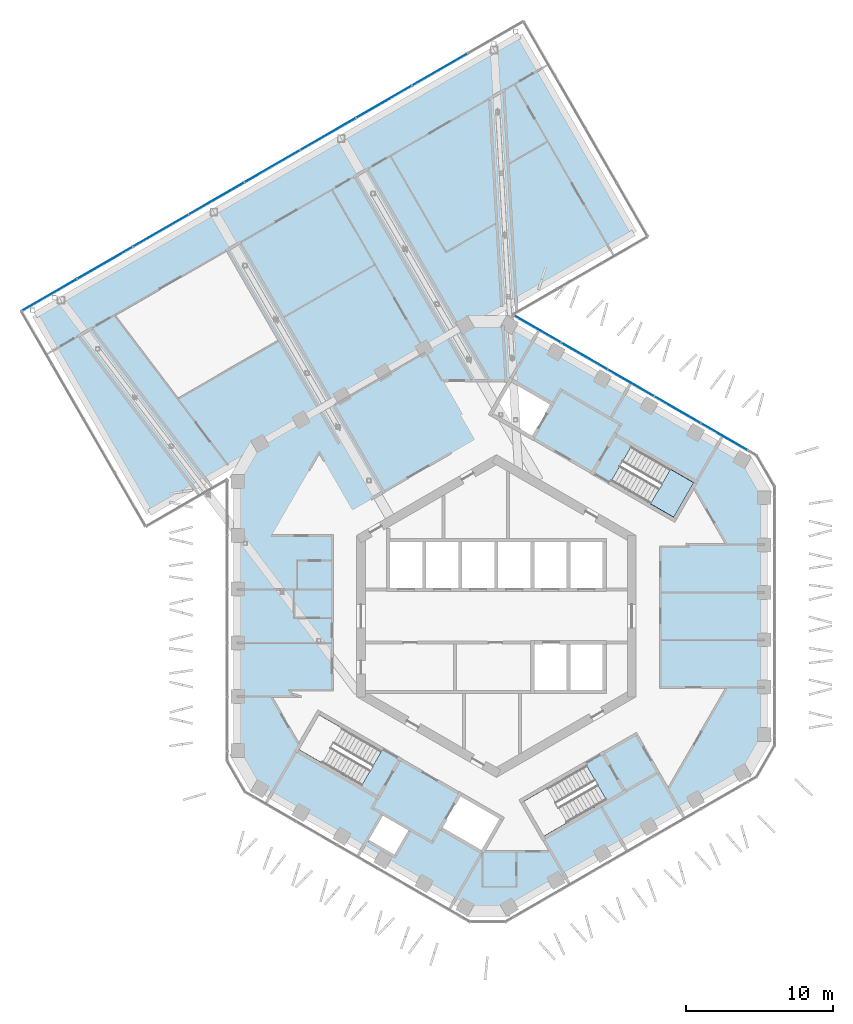
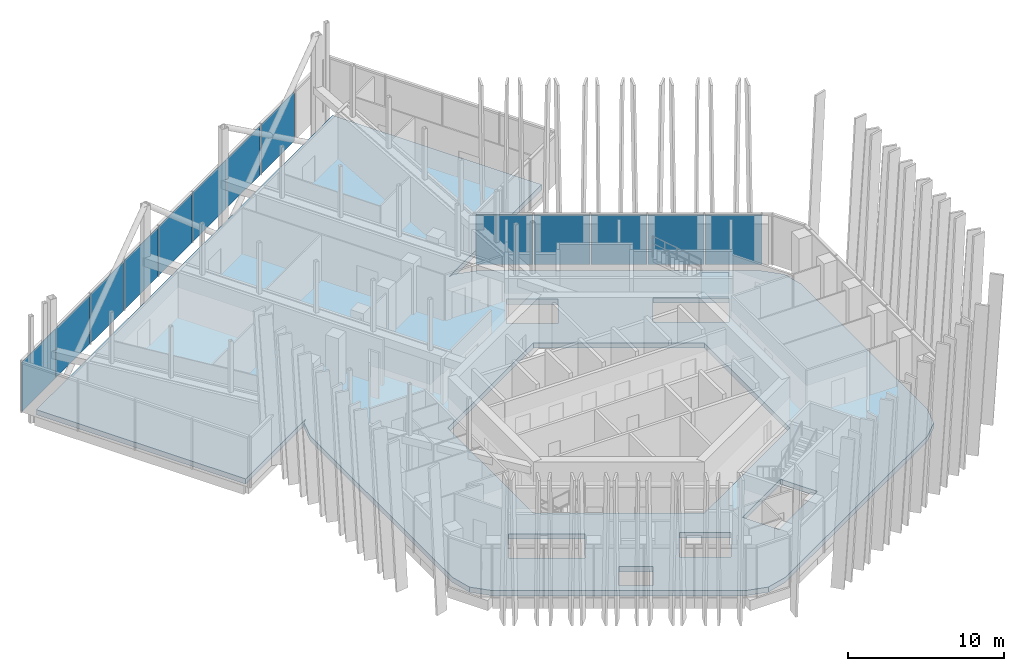
# One storey, part 15 of 29: 13 plates, 2 slabs, 3 elements without a shape of their own.
"""IFC4 building model written with IfcOpenShell, lengths in metres."""

import ifcopenshell
import ifcopenshell.guid

model = None  # the IFC model being written
_history = None  # IfcOwnerHistory: only IFC2X3 demands one
_inside = {}  # id of a spatial element -> (the spatial element, [elements in it])
_under = {}  # id of a project, library or spatial element -> (it, [spatial elements below it])
_declared = {}  # id of a project -> (the project, [libraries it declares])
_typed = {}  # id of a type object -> (the type object, [elements of that type])
_made_of = {}  # id of a material, layer set ... -> (it, [elements and type objects made of it])


def new_model(schema):
    """Start an empty IFC model of exactly this schema.

    Asked for "IFC4X3", IfcOpenShell would pick the latest addendum, in which some entities
    have other attributes; the version numbers below select the first issue.
    IFC2X3 requires an IfcOwnerHistory on every rooted entity: one is made here for all.
    """
    global model, _history
    if schema == "IFC4X3":
        model = ifcopenshell.file(schema_version=(4, 3, 0, 0))
    else:
        model = ifcopenshell.file(schema=schema)
    _inside.clear()
    _under.clear()
    _declared.clear()
    _typed.clear()
    _made_of.clear()
    _history = None
    if model.schema == "IFC2X3":
        org = make("IfcOrganization", Name="unknown")
        user = make(
            "IfcPersonAndOrganization",
            ThePerson=make("IfcPerson", FamilyName="unknown"),
            TheOrganization=org,
        )
        app = make(
            "IfcApplication",
            ApplicationDeveloper=org,
            Version="unknown",
            ApplicationFullName="unknown",
            ApplicationIdentifier="unknown",
        )
        _history = make(
            "IfcOwnerHistory",
            OwningUser=user,
            OwningApplication=app,
            ChangeAction="ADDED",
            CreationDate=0,
        )
    return model


def make(cls, **values):
    """One entity of the class cls with the attributes given. An attribute that is None is left unset."""
    return model.create_entity(
        cls, **{name: value for name, value in values.items() if value is not None}
    )


def rooted(cls, **values):
    """An entity with a GlobalId (a new one), such as an element, a storey or a relation."""
    return make(cls, GlobalId=ifcopenshell.guid.new(), OwnerHistory=_history, **values)


def si_unit(unit_type, name, prefix=None):
    """IfcSIUnit, for example si_unit("LENGTHUNIT", "METRE", prefix="MILLI")."""
    return make("IfcSIUnit", UnitType=unit_type, Prefix=prefix, Name=name)


def assignment(units):
    """IfcUnitAssignment: the units of a project."""
    return None if units is None else make("IfcUnitAssignment", Units=units)


def point(xyz):
    """IfcCartesianPoint."""
    return None if xyz is None else make("IfcCartesianPoint", Coordinates=xyz)


def direction(xyz):
    """IfcDirection."""
    return None if xyz is None else make("IfcDirection", DirectionRatios=xyz)


def frame(location, z_axis=None, x_axis=None):
    """IfcAxis2Placement3D, a coordinate frame: its origin and axes. An axis left out is left unset."""
    return make(
        "IfcAxis2Placement3D",
        Location=point(location),
        Axis=direction(z_axis),
        RefDirection=direction(x_axis),
    )


def frame_2d(location, x_axis=None):
    """IfcAxis2Placement2D, a coordinate frame in the plane: its origin and x axis."""
    return make(
        "IfcAxis2Placement2D", Location=point(location), RefDirection=direction(x_axis)
    )


def origin():
    """The frame at (0, 0, 0) with its axes left unset."""
    return frame((0.0, 0.0, 0.0))


def origin_2d():
    """The frame at (0, 0) in the plane with its x axis left unset."""
    return frame_2d((0.0, 0.0))


def place(relative_to, where):
    """IfcLocalPlacement: puts the frame where relative to a parent placement (None: the world)."""
    return make(
        "IfcLocalPlacement", PlacementRelTo=relative_to, RelativePlacement=where
    )


def context(
    kind, dimensions, precision=None, world=None, true_north=None, identifier=None
):
    """IfcGeometricRepresentationContext, for example the 3D "Model" context."""
    return make(
        "IfcGeometricRepresentationContext",
        ContextIdentifier=identifier,
        ContextType=kind,
        CoordinateSpaceDimension=dimensions,
        Precision=precision,
        WorldCoordinateSystem=world,
        TrueNorth=true_north,
    )


def subcontext(parent, identifier, kind, view, scale=None):
    """IfcGeometricRepresentationSubContext, for example "Body" below "Model"."""
    return make(
        "IfcGeometricRepresentationSubContext",
        ContextIdentifier=identifier,
        ContextType=kind,
        ParentContext=parent,
        TargetScale=scale,
        TargetView=view,
    )


def project(units=None, contexts=None):
    """IfcProject with its units and contexts."""
    return rooted(
        "IfcProject",
        Name="project",
        RepresentationContexts=contexts,
        UnitsInContext=assignment(units),
    )


def spatial(cls, under=None, at=None, **own):
    """A site, building, storey or space (cls), placed at a placement, below another one or the project."""
    s = rooted(cls, ObjectPlacement=at, **own)
    if under is not None:
        _under.setdefault(under.id(), (under, []))[1].append(s)
    return s


def polyline(points):
    """IfcPolyline through the points."""
    return make("IfcPolyline", Points=[point(p) for p in points])


def profile(cls, at=None, kind="AREA", **sizes):
    """A parametric profile (cls). Its sizes go by their IFC names, for example OverallWidth=200.0."""
    return make(cls, ProfileType=kind, Position=at, **sizes)


def rectangle(**sizes):
    """IfcRectangleProfileDef."""
    return profile("IfcRectangleProfileDef", **sizes)


def outline(outer, holes=None, kind="AREA"):
    """IfcArbitraryClosedProfileDef: a profile drawn as a closed curve; with holes, ...WithVoids."""
    if holes is None:
        return make("IfcArbitraryClosedProfileDef", ProfileType=kind, OuterCurve=outer)
    return make(
        "IfcArbitraryProfileDefWithVoids",
        ProfileType=kind,
        OuterCurve=outer,
        InnerCurves=holes,
    )


def extrude(swept, where, along, depth):
    """IfcExtrudedAreaSolid: the profile swept, set in the frame where, extruded along a direction by depth."""
    return make(
        "IfcExtrudedAreaSolid",
        SweptArea=swept,
        Position=where,
        ExtrudedDirection=direction(along),
        Depth=depth,
    )


def shape(context_of_items, identifier, shape_type, items):
    """IfcShapeRepresentation: the items that make up one representation, for example the "Body"."""
    return make(
        "IfcShapeRepresentation",
        ContextOfItems=context_of_items,
        RepresentationIdentifier=identifier,
        RepresentationType=shape_type,
        Items=items,
    )


def material(Name=None, Category=None):
    """IfcMaterial."""
    return make("IfcMaterial", Name=Name, Category=Category)


def layer(
    of_material, thickness, ventilated=None, Name=None, Category=None, Priority=None
):
    """IfcMaterialLayer: one layer of a wall or slab, of a material (None: an air gap)."""
    return make(
        "IfcMaterialLayer",
        Material=of_material,
        LayerThickness=thickness,
        IsVentilated=ventilated,
        Name=Name,
        Category=Category,
        Priority=Priority,
    )


def layer_set(layers, Name=None):
    """IfcMaterialLayerSet."""
    return make("IfcMaterialLayerSet", MaterialLayers=layers, LayerSetName=Name)


def made_of(thing, what):
    """Note that an element or type object is made of a material, layer set ...; save() writes the relation."""
    if what is not None:
        _made_of.setdefault(what.id(), (what, []))[1].append(thing)
    return thing


def type_object(cls, material=None, **own):
    """A type object (cls), such as IfcWallType, which elements share."""
    return made_of(rooted(cls, **own), material)


def element(
    cls,
    number,
    at=None,
    inside=None,
    cuts=None,
    type_object=None,
    material=None,
    context=None,
    identifier="Body",
    shape_type=None,
    held_by="IfcProductDefinitionShape",
    body=None,
    shapes=None,
    **own,
):
    """One element of the class cls, such as IfcWall. Its Tag is "e" and its number.

    at: its placement. inside: the storey or other place that contains it. cuts: it is an
    opening in that element (IfcRelVoidsElement). A single representation is given by context,
    identifier, shape_type and body (its items); several are given by shapes. held_by: the class
    of the entity that holds the representations. save() writes the other relations.
    """
    e = rooted(cls, Tag="e%d" % number, ObjectPlacement=at, **own)
    if body is not None:
        shapes = [shape(context, identifier, shape_type, body)]
    if shapes is not None:
        e.Representation = make(held_by, Representations=shapes)
    if inside is not None:
        _inside.setdefault(inside.id(), (inside, []))[1].append(e)
    if cuts is not None:
        rooted(
            "IfcRelVoidsElement", RelatingBuildingElement=cuts, RelatedOpeningElement=e
        )
    if type_object is not None:
        _typed.setdefault(type_object.id(), (type_object, []))[1].append(e)
    return made_of(e, material)


def aggregate(whole, parts):
    """IfcRelAggregates: a whole, such as a stair, and the parts it consists of."""
    return rooted("IfcRelAggregates", RelatingObject=whole, RelatedObjects=parts)


def save(model, path):
    """Write the relations noted so far, then the file.

    IfcRelAggregates (storeys below a building ...), IfcRelContainedInSpatialStructure (elements
    in a storey), IfcRelDefinesByType, IfcRelAssociatesMaterial and IfcRelDeclares: one each for
    every whole, place, type object, material and project.
    """
    for whole, parts in _under.values():
        aggregate(whole, parts)
    for where, things in _inside.values():
        rooted(
            "IfcRelContainedInSpatialStructure",
            RelatedElements=things,
            RelatingStructure=where,
        )
    for kind, things in _typed.values():
        rooted("IfcRelDefinesByType", RelatedObjects=things, RelatingType=kind)
    for what, things in _made_of.values():
        rooted("IfcRelAssociatesMaterial", RelatedObjects=things, RelatingMaterial=what)
    for by, libraries in _declared.values():
        rooted("IfcRelDeclares", RelatingContext=by, RelatedDefinitions=libraries)
    model.write(path)


model = new_model("IFC4")

# Units and contexts
model_context = context("Model", 3, precision=1e-05, world=origin(), true_north=direction((0.0, 1.0)))
body_context = subcontext(model_context, "Body", "Model", "MODEL_VIEW")
ifc_project = project(units=[si_unit("LENGTHUNIT", "METRE"), si_unit("AREAUNIT", "SQUARE_METRE"), si_unit("VOLUMEUNIT", "CUBIC_METRE"), si_unit("PLANEANGLEUNIT", "RADIAN"), si_unit("MASSUNIT", "GRAM", prefix="KILO")], contexts=[model_context])

# Site, building, storey
site_placement = place(None, origin())
site = spatial("IfcSite", under=ifc_project, at=site_placement, CompositionType="ELEMENT")
building_placement = place(site_placement, origin())
building = spatial("IfcBuilding", under=site, at=building_placement, Name="Ayvan Gate Tower", CompositionType="ELEMENT")
storey_placement = place(building_placement, frame((0.0, 0.0, 186.699951171875)))
storey = spatial("IfcBuildingStorey", under=building, at=storey_placement, Name="L50", CompositionType="ELEMENT", Elevation=186.699951171875)

# Slab
ifc_material_1 = material(Name="Concrete C40/50", Category="concrete")
ifc_layer_1 = layer(ifc_material_1, 0.39990234375)
ifc_layer_set_1 = layer_set([ifc_layer_1], Name="Concrete C40/50")
slab_type_1 = type_object("IfcSlabType", Name="Post-tensioned flat slab 400", PredefinedType="FLOOR", material=ifc_layer_set_1)
slab_1_placement = place(storey_placement, frame((0.0, 0.0, -0.39990234375)))
element("IfcSlab", 1, at=slab_1_placement, inside=storey, type_object=slab_type_1, Name="SL-L50", PredefinedType="FLOOR", context=body_context, shape_type="SweptSolid", body=[
    extrude(outline(polyline([(-2.093505859375, -19.791259765625), (-16.093017578125, -11.708740234375), (-17.191162109375, -10.610595703125), (-17.593017578125, -9.110595703125), (-17.593017578125, 9.110595703125), (-17.191162109375, 10.610595703125), (-16.91259765625, 10.88916015625), (-23.5791015625, 7.040283203125), (-31.3291015625, 20.463623046875), (1.579833984375, 39.463623046875), (9.329833984375, 26.040283203125), (-0.973876953125, 20.09130859375), (-0.593505859375, 20.193359375), (0.906494140625, 19.791259765625), (16.6865234375, 10.6806640625), (17.78466796875, 9.582763671875), (18.1865234375, 8.082763671875), (18.1865234375, -8.082763671875), (17.78466796875, -9.582763671875), (16.6865234375, -10.6806640625), (0.906494140625, -19.791259765625), (-0.593505859375, -20.193359375), (-2.093505859375, -19.791259765625)]), holes=[polyline([(13.404541015625, 9.0673828125), (9.1611328125, 11.517578125), (7.80615234375, 9.170654296875), (12.049560546875, 6.720458984375), (13.404541015625, 9.0673828125)]), polyline([(0.0, 10.9697265625), (-9.5, 5.48486328125), (-9.5, -5.48486328125), (0.0, -10.9697265625), (9.5, -5.48486328125), (9.5, 5.48486328125), (0.0, 10.9697265625)]), polyline([(3.228759765625, -14.9423828125), (7.472412109375, -12.492431640625), (6.117431640625, -10.1455078125), (1.873779296875, -12.595458984375), (3.228759765625, -14.9423828125)]), polyline([(3.822509765625, 14.420654296875), (0.964599609375, 16.07080078125), (-0.385498046875, 13.732421875), (1.04443359375, 12.906982421875), (2.472412109375, 12.08251953125), (3.822509765625, 14.420654296875)]), polyline([(0.385498046875, -13.732421875), (-2.472412109375, -12.08251953125), (-3.822509765625, -14.420654296875), (-0.964599609375, -16.07080078125), (-0.919921875, -15.9931640625), (0.385498046875, -13.732421875)]), polyline([(-6.894775390625, -16.342041015625), (-5.8447265625, -14.5234375), (-7.75, -13.42333984375), (-8.800048828125, -15.241943359375), (-6.894775390625, -16.342041015625)]), polyline([(-7.80615234375, -9.170654296875), (-12.049560546875, -6.720458984375), (-13.404541015625, -9.0673828125), (-9.1611328125, -11.517578125), (-7.80615234375, -9.170654296875)])]), origin(), (0.0, 0.0, 1.0), 0.39990234375),
])

# Stair, slab
stair_type = type_object("IfcStairType", Name="ST-EXIT", PredefinedType="HALF_TURN_STAIR", material=ifc_material_1)
stair_placement = place(storey_placement, origin())
stair = element("IfcStair", 2, at=stair_placement, inside=storey, type_object=stair_type, Name="L50 Exit Stair S1", PredefinedType="HALF_TURN_STAIR")
ifc_layer_2 = layer(ifc_material_1, 0.199951171875)
ifc_layer_set_2 = layer_set([ifc_layer_2], Name="Concrete C40/50")
slab_type_2 = type_object("IfcSlabType", Name="SL-LANDING-200", PredefinedType="LANDING", material=ifc_layer_set_2)
slab_2_placement = place(storey_placement, frame((0.0, 0.0, 1.800048828125)))
slab_2 = element("IfcSlab", 3, at=slab_2_placement, type_object=slab_type_2, Name="STS1 landing 1", PredefinedType="LANDING", context=body_context, shape_type="SweptSolid", body=[
    extrude(outline(polyline([(10.473388671875, 7.630615234375), (12.049560546875, 6.720458984375), (13.404541015625, 9.0673828125), (11.828369140625, 9.9775390625), (10.473388671875, 7.630615234375)])), origin(), (0.0, 0.0, 1.0), 0.199951171875),
])
aggregate(stair, [slab_2])

# Curtain wall, plates
ifc_material_2 = material(Name="Bronze anodised aluminium", Category="aluminium")
ifc_layer_3 = layer(ifc_material_2, 0.199951171875)
ifc_layer_set_3 = layer_set([ifc_layer_3], Name="Bronze anodised aluminium")
curtain_wall_type_1 = type_object("IfcCurtainWallType", Name="Stick curtain wall CW-2", PredefinedType="NOTDEFINED", material=ifc_layer_set_3)
curtain_wall_1_placement = place(storey_placement, origin())
curtain_wall_1 = element("IfcCurtainWall", 4, at=curtain_wall_1_placement, inside=storey, type_object=curtain_wall_type_1, Name="Stick curtain wall CW-2 L50", PredefinedType="NOTDEFINED")
ifc_material_3 = material(Name="Clear low-iron laminated glass", Category="glass")
ifc_layer_4 = layer(ifc_material_3, 0.028076171875)
ifc_layer_set_4 = layer_set([ifc_layer_4], Name="Clear low-iron laminated glass")
plate_type_1 = type_object("IfcPlateType", Name="Stick curtain wall CW-2 glass panel", PredefinedType="CURTAIN_PANEL", material=ifc_layer_set_4)
plate_1_placement = place(storey_placement, frame((15.50390625, 12.171875, 0.0), z_axis=(0.0, 0.0, 1.0), x_axis=(-0.866025403784, 0.5, 0.0)))
plate_1 = element("IfcPlate", 5, at=plate_1_placement, type_object=plate_type_1, Name="CW-2 glass panel 1", PredefinedType="CURTAIN_PANEL", context=body_context, shape_type="SweptSolid", body=[
    extrude(rectangle(XDim=3.654052734375, YDim=0.028076171875, at=origin_2d()), origin(), (0.0, 0.0, 1.0), 3.8798828125),
])
plate_2_placement = place(storey_placement, frame((12.3095703125, 14.01611328125, 0.0), z_axis=(0.0, 0.0, 1.0), x_axis=(-0.866025403784, 0.5, 0.0)))
plate_2 = element("IfcPlate", 6, at=plate_2_placement, type_object=plate_type_1, Name="CW-2 glass panel 2", PredefinedType="CURTAIN_PANEL", context=body_context, shape_type="SweptSolid", body=[
    extrude(rectangle(XDim=3.5830078125, YDim=0.028076171875, at=origin_2d()), origin(), (0.0, 0.0, 1.0), 3.8798828125),
])
plate_3_placement = place(storey_placement, frame((9.146240234375, 15.84228515625, 0.0), z_axis=(0.0, 0.0, 1.0), x_axis=(-0.866025403784, 0.5, 0.0)))
plate_3 = element("IfcPlate", 7, at=plate_3_placement, type_object=plate_type_1, Name="CW-2 glass panel 3", PredefinedType="CURTAIN_PANEL", context=body_context, shape_type="SweptSolid", body=[
    extrude(rectangle(XDim=3.58203125, YDim=0.028076171875, at=origin_2d()), origin(), (0.0, 0.0, 1.0), 3.8798828125),
])
plate_4_placement = place(storey_placement, frame((5.983642578125, 17.66845703125, 0.0), z_axis=(0.0, 0.0, 1.0), x_axis=(-0.866025403784, 0.5, 0.0)))
plate_4 = element("IfcPlate", 8, at=plate_4_placement, type_object=plate_type_1, Name="CW-2 glass panel 4", PredefinedType="CURTAIN_PANEL", context=body_context, shape_type="SweptSolid", body=[
    extrude(rectangle(XDim=3.58203125, YDim=0.028076171875, at=origin_2d()), origin(), (0.0, 0.0, 1.0), 3.8798828125),
])
plate_5_placement = place(storey_placement, frame((2.78955078125, 19.512451171875, 0.0), z_axis=(0.0, 0.0, 1.0), x_axis=(-0.866025403784, 0.5, 0.0)))
plate_5 = element("IfcPlate", 9, at=plate_5_placement, type_object=plate_type_1, Name="CW-2 glass panel 5", PredefinedType="CURTAIN_PANEL", context=body_context, shape_type="SweptSolid", body=[
    extrude(rectangle(XDim=3.654541015625, YDim=0.028076171875, at=origin_2d()), origin(), (0.0, 0.0, 1.0), 3.8798828125),
])
aggregate(curtain_wall_1, [plate_1, plate_2, plate_3, plate_4, plate_5])

ifc_layer_5 = layer(ifc_material_2, 0.199951171875)
ifc_layer_set_5 = layer_set([ifc_layer_5], Name="Bronze anodised aluminium")
curtain_wall_type_2 = type_object("IfcCurtainWallType", Name="Stick curtain wall CW-4", PredefinedType="NOTDEFINED", material=ifc_layer_set_5)
curtain_wall_2_placement = place(storey_placement, origin())
curtain_wall_2 = element("IfcCurtainWall", 10, at=curtain_wall_2_placement, inside=storey, type_object=curtain_wall_type_2, Name="Stick curtain wall CW-4 L50", PredefinedType="NOTDEFINED")
ifc_material_4 = material(Name="Pale anodised aluminium composite panel", Category="aluminium")
ifc_layer_6 = layer(ifc_material_4, 0.028076171875)
ifc_layer_set_6 = layer_set([ifc_layer_6], Name="Pale anodised aluminium composite panel")
plate_type_2 = type_object("IfcPlateType", Name="Stick curtain wall CW-4 solid panel", PredefinedType="CURTAIN_PANEL", material=ifc_layer_set_6)
plate_6_placement = place(storey_placement, frame((-3.850830078125, 37.136474609375, 0.0), z_axis=(0.0, 0.0, 1.0), x_axis=(-0.866025403784, -0.5, 0.0)))
plate_6 = element("IfcPlate", 11, at=plate_6_placement, type_object=plate_type_2, Name="CW-4 solid panel 2", PredefinedType="CURTAIN_PANEL", context=body_context, shape_type="SweptSolid", body=[
    extrude(rectangle(XDim=4.2978515625, YDim=0.028076171875, at=origin_2d()), origin(), (0.0, 0.0, 1.0), 3.860107421875),
])
plate_7_placement = place(storey_placement, frame((-7.64208984375, 34.947509765625, 0.0), z_axis=(0.0, 0.0, 1.0), x_axis=(-0.866025403784, -0.5, 0.0)))
plate_7 = element("IfcPlate", 12, at=plate_7_placement, type_object=plate_type_2, Name="CW-4 solid panel 3", PredefinedType="CURTAIN_PANEL", context=body_context, shape_type="SweptSolid", body=[
    extrude(rectangle(XDim=4.2978515625, YDim=0.028076171875, at=origin_2d()), origin(), (0.0, 0.0, 1.0), 3.860107421875),
])
plate_8_placement = place(storey_placement, frame((-11.433349609375, 32.7587890625, 0.0), z_axis=(0.0, 0.0, 1.0), x_axis=(-0.866025403784, -0.5, 0.0)))
plate_8 = element("IfcPlate", 13, at=plate_8_placement, type_object=plate_type_2, Name="CW-4 solid panel 4", PredefinedType="CURTAIN_PANEL", context=body_context, shape_type="SweptSolid", body=[
    extrude(rectangle(XDim=4.2978515625, YDim=0.028076171875, at=origin_2d()), origin(), (0.0, 0.0, 1.0), 3.860107421875),
])
plate_9_placement = place(storey_placement, frame((-15.224609375, 30.56982421875, 0.0), z_axis=(0.0, 0.0, 1.0), x_axis=(-0.866025403784, -0.5, 0.0)))
plate_9 = element("IfcPlate", 14, at=plate_9_placement, type_object=plate_type_2, Name="CW-4 solid panel 5", PredefinedType="CURTAIN_PANEL", context=body_context, shape_type="SweptSolid", body=[
    extrude(rectangle(XDim=4.2978515625, YDim=0.028076171875, at=origin_2d()), origin(), (0.0, 0.0, 1.0), 3.860107421875),
])
plate_10_placement = place(storey_placement, frame((-19.015869140625, 28.380859375, 0.0), z_axis=(0.0, 0.0, 1.0), x_axis=(-0.866025403784, -0.5, 0.0)))
plate_10 = element("IfcPlate", 15, at=plate_10_placement, type_object=plate_type_2, Name="CW-4 solid panel 6", PredefinedType="CURTAIN_PANEL", context=body_context, shape_type="SweptSolid", body=[
    extrude(rectangle(XDim=4.2978515625, YDim=0.028076171875, at=origin_2d()), origin(), (0.0, 0.0, 1.0), 3.860107421875),
])
plate_11_placement = place(storey_placement, frame((-22.80712890625, 26.192138671875, 0.0), z_axis=(0.0, 0.0, 1.0), x_axis=(-0.866025403784, -0.5, 0.0)))
plate_11 = element("IfcPlate", 16, at=plate_11_placement, type_object=plate_type_2, Name="CW-4 solid panel 7", PredefinedType="CURTAIN_PANEL", context=body_context, shape_type="SweptSolid", body=[
    extrude(rectangle(XDim=4.2978515625, YDim=0.028076171875, at=origin_2d()), origin(), (0.0, 0.0, 1.0), 3.860107421875),
])
plate_12_placement = place(storey_placement, frame((-26.598388671875, 24.003173828125, 0.0), z_axis=(0.0, 0.0, 1.0), x_axis=(-0.866025403784, -0.5, 0.0)))
plate_12 = element("IfcPlate", 17, at=plate_12_placement, type_object=plate_type_2, Name="CW-4 solid panel 8", PredefinedType="CURTAIN_PANEL", context=body_context, shape_type="SweptSolid", body=[
    extrude(rectangle(XDim=4.2978515625, YDim=0.028076171875, at=origin_2d()), origin(), (0.0, 0.0, 1.0), 3.860107421875),
])
plate_13_placement = place(storey_placement, frame((-30.3896484375, 21.814208984375, 0.0), z_axis=(0.0, 0.0, 1.0), x_axis=(-0.866025403784, -0.5, 0.0)))
plate_13 = element("IfcPlate", 18, at=plate_13_placement, type_object=plate_type_2, Name="CW-4 solid panel 9", PredefinedType="CURTAIN_PANEL", context=body_context, shape_type="SweptSolid", body=[
    extrude(rectangle(XDim=4.2978515625, YDim=0.028076171875, at=origin_2d()), origin(), (0.0, 0.0, 1.0), 3.860107421875),
])
aggregate(curtain_wall_2, [plate_6, plate_7, plate_8, plate_9, plate_10, plate_11, plate_12, plate_13])

save(model, "model.ifc")
